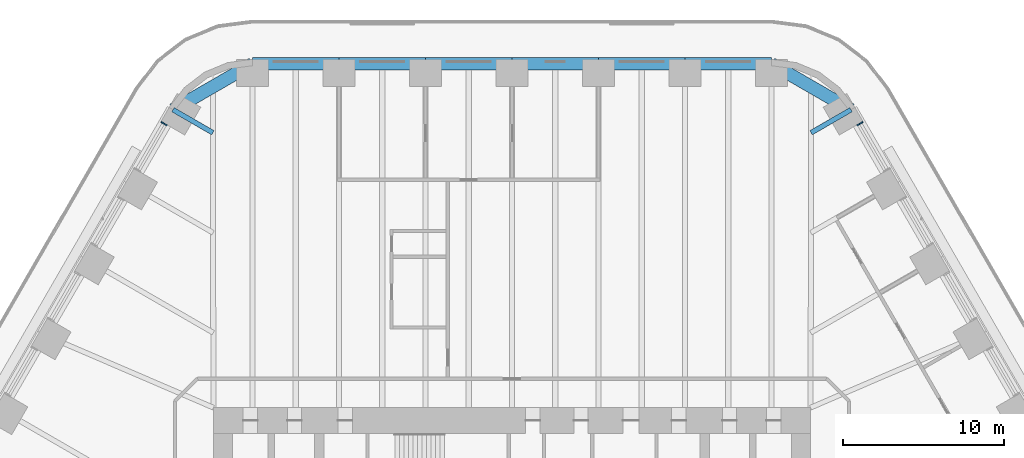
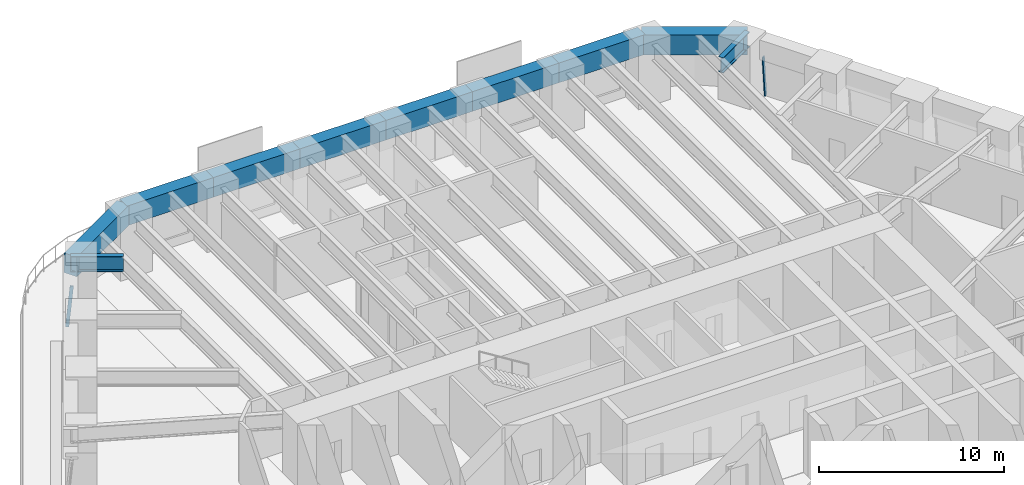
# One storey, part 14 of 24: 10 beams, 2 members, 2 elements without a shape of their own.
"""IFC4 building model written with IfcOpenShell, lengths in metres."""

from ifc_helpers import new_model, si_unit, direction, frame, origin, origin_2d, place, context, subcontext, project, spatial, rectangle, i_section, extrude, material, material_profile, profile_set, type_object, element, aggregate, save


model = new_model("IFC4")

# Units and contexts
model_context = context("Model", 3, precision=1e-05, world=origin(), true_north=direction((0.0, 1.0)))
body_context = subcontext(model_context, "Body", "Model", "MODEL_VIEW")
ifc_project = project(units=[si_unit("LENGTHUNIT", "METRE"), si_unit("AREAUNIT", "SQUARE_METRE"), si_unit("VOLUMEUNIT", "CUBIC_METRE"), si_unit("PLANEANGLEUNIT", "RADIAN"), si_unit("MASSUNIT", "GRAM", prefix="KILO")], contexts=[model_context])

# Site, building, storey
site_placement = place(None, origin())
site = spatial("IfcSite", under=ifc_project, at=site_placement, CompositionType="ELEMENT")
building_placement = place(site_placement, origin())
building = spatial("IfcBuilding", under=site, at=building_placement, Name="Tarfa Lantern Tower", CompositionType="ELEMENT")
storey_placement = place(building_placement, frame((0.0, 0.0, 69.699951171875)))
storey = spatial("IfcBuildingStorey", under=building, at=storey_placement, Name="L15", CompositionType="ELEMENT", Elevation=69.699951171875)

# Curtain wall, member
ifc_material_1 = material(Name="Aluminium framed curtain wall", Category="aluminium")
curtain_wall_type = type_object("IfcCurtainWallType", Name="CW1 CANTED GLAZING LOW ZONE 2700", PredefinedType="USERDEFINED", material=ifc_material_1)
curtain_wall_1_placement = place(storey_placement, origin())
curtain_wall_1 = element("IfcCurtainWall", 1, at=curtain_wall_1_placement, inside=storey, type_object=curtain_wall_type, Name="CW1 NE L15", ObjectType="CURTAIN WALL", PredefinedType="USERDEFINED")
ifc_material_2 = material(Name="Aluminium mullion", Category="aluminium")
ifc_material_profile_1 = material_profile(ifc_material_2, rectangle(XDim=0.06494140625, YDim=0.199951171875, at=origin_2d()), Name="AL MULLION 65x200")
ifc_profile_set_1 = profile_set([ifc_material_profile_1], Name="Aluminium mullion")
member_type = type_object("IfcMemberType", Name="CWM1 MULLION 65x200", PredefinedType="MULLION", material=ifc_profile_set_1)
member_1_placement = place(storey_placement, frame((21.79150390625, 30.055908203125, 0.0), z_axis=(-0.079774955866, -0.04610020023, 0.995746317068), x_axis=(0.500342721131, -0.865827443207, 0.0)))
member_1 = element("IfcMember", 2, at=member_1_placement, type_object=member_type, Name="CW1 mullion 2", PredefinedType="MULLION", context=body_context, shape_type="SweptSolid", body=[
    extrude(rectangle(XDim=0.06494140625, YDim=0.199951171875, at=origin_2d()), origin(), (0.0, 0.0, 1.0), 2.71142578125),
])
aggregate(curtain_wall_1, [member_1])

curtain_wall_2_placement = place(storey_placement, origin())
curtain_wall_2 = element("IfcCurtainWall", 3, at=curtain_wall_2_placement, inside=storey, type_object=curtain_wall_type, Name="CW1 NW L15", ObjectType="CURTAIN WALL", PredefinedType="USERDEFINED")
member_2_placement = place(storey_placement, frame((-21.79150390625, 30.055908203125, 0.0), z_axis=(0.079774955866, -0.04610020023, 0.995746317068), x_axis=(0.500342721131, 0.865827443207, 0.0)))
member_2 = element("IfcMember", 4, at=member_2_placement, type_object=member_type, Name="CW1 mullion 1", PredefinedType="MULLION", context=body_context, shape_type="SweptSolid", body=[
    extrude(rectangle(XDim=0.06494140625, YDim=0.199951171875, at=origin_2d()), origin(), (0.0, 0.0, 1.0), 2.71142578125),
])
aggregate(curtain_wall_2, [member_2])

# Beams
ifc_material_3 = material(Name="Concrete C80/95", Category="concrete")
ifc_material_profile_2 = material_profile(ifc_material_3, rectangle(XDim=0.800048828125, YDim=1.300048828125, at=origin_2d()), Name="RC 800x1300")
ifc_profile_set_2 = profile_set([ifc_material_profile_2], Name="Concrete C80/95")
beam_type_1 = type_object("IfcBeamType", Name="EB1 RC 800x1300", PredefinedType="SPANDREL", material=ifc_profile_set_2)
beam_1_placement = place(storey_placement, frame((21.119384765625, 30.860107421875, 3.35009765625), z_axis=(-0.866033479681, 0.499986011877, 0.0), x_axis=(-0.499986011877, -0.866033479681, 0.0)))
element("IfcBeam", 5, at=beam_1_placement, inside=storey, type_object=beam_type_1, Name="Edge beam NE6", PredefinedType="SPANDREL", context=body_context, shape_type="SweptSolid", body=[
    extrude(rectangle(XDim=0.800048828125, YDim=1.300048828125, at=origin_2d()), origin(), (0.0, 0.0, 1.0), 5.719970703125),
])
beam_2_placement = place(storey_placement, frame((16.165771484375, 33.719970703125, 3.35009765625), z_axis=(-1.0, 0.0, 0.0), x_axis=(0.0, -1.0, 0.0)))
element("IfcBeam", 6, at=beam_2_placement, inside=storey, type_object=beam_type_1, Name="Edge beam N0", PredefinedType="SPANDREL", context=body_context, shape_type="SweptSolid", body=[
    extrude(rectangle(XDim=0.800048828125, YDim=1.300048828125, at=origin_2d()), origin(), (0.0, 0.0, 1.0), 5.388671875),
])
beam_3_placement = place(storey_placement, frame((10.777099609375, 33.719970703125, 3.35009765625), z_axis=(-1.0, 0.0, 0.0), x_axis=(0.0, -1.0, 0.0)))
element("IfcBeam", 7, at=beam_3_placement, inside=storey, type_object=beam_type_1, Name="Edge beam N1", PredefinedType="SPANDREL", context=body_context, shape_type="SweptSolid", body=[
    extrude(rectangle(XDim=0.800048828125, YDim=1.300048828125, at=origin_2d()), origin(), (0.0, 0.0, 1.0), 5.388427734375),
])
for number, where, z_axis, x_axis, name in (
    (8, (5.388671875, 33.719970703125, 3.35009765625), (-1.0, 0.0, 0.0), (0.0, -1.0, 0.0), "Edge beam N2"),
    (9, (0.0, 33.719970703125, 3.35009765625), (-1.0, 0.0, 0.0), (0.0, -1.0, 0.0), "Edge beam N3"),
):
    element("IfcBeam", number, at=place(storey_placement, frame(where, z_axis=z_axis, x_axis=x_axis)), inside=storey, type_object=beam_type_1, Name=name, PredefinedType="SPANDREL", context=body_context, shape_type="SweptSolid", body=[
        extrude(rectangle(XDim=0.800048828125, YDim=1.300048828125, at=origin_2d()), origin(), (0.0, 0.0, 1.0), 5.388671875),
    ])
beam_4_placement = place(storey_placement, frame((-5.388671875, 33.719970703125, 3.35009765625), z_axis=(-1.0, 0.0, 0.0), x_axis=(0.0, -1.0, 0.0)))
element("IfcBeam", 10, at=beam_4_placement, inside=storey, type_object=beam_type_1, Name="Edge beam N4", PredefinedType="SPANDREL", context=body_context, shape_type="SweptSolid", body=[
    extrude(rectangle(XDim=0.800048828125, YDim=1.300048828125, at=origin_2d()), origin(), (0.0, 0.0, 1.0), 5.388427734375),
])
beam_5_placement = place(storey_placement, frame((-10.777099609375, 33.719970703125, 3.35009765625), z_axis=(-1.0, 0.0, 0.0), x_axis=(0.0, -1.0, 0.0)))
element("IfcBeam", 11, at=beam_5_placement, inside=storey, type_object=beam_type_1, Name="Edge beam N5", PredefinedType="SPANDREL", context=body_context, shape_type="SweptSolid", body=[
    extrude(rectangle(XDim=0.800048828125, YDim=1.300048828125, at=origin_2d()), origin(), (0.0, 0.0, 1.0), 5.388671875),
])
beam_6_placement = place(storey_placement, frame((-16.165771484375, 33.719970703125, 3.35009765625), z_axis=(-0.866033479681, -0.499986011877, 0.0), x_axis=(0.499986011877, -0.866033479681, 0.0)))
element("IfcBeam", 12, at=beam_6_placement, inside=storey, type_object=beam_type_1, Name="Edge beam N6", PredefinedType="SPANDREL", context=body_context, shape_type="SweptSolid", body=[
    extrude(rectangle(XDim=0.800048828125, YDim=1.300048828125, at=origin_2d()), origin(), (0.0, 0.0, 1.0), 5.719970703125),
])
ifc_material_4 = material(Name="Steel S460M", Category="steel")
ifc_material_profile_3 = material_profile(ifc_material_4, i_section(OverallWidth=0.302001953125, OverallDepth=1.008056640625, WebThickness=0.02099609375, FlangeThickness=0.0400390625, FilletRadius=0.030029296875, at=origin_2d()), Name="UB1016x305x349")
ifc_profile_set_3 = profile_set([ifc_material_profile_3], Name="Steel S460M")
beam_type_2 = type_object("IfcBeamType", Name="UB1016x305x349", PredefinedType="BEAM", material=ifc_profile_set_3)
for number, where, z_axis, x_axis, name in (
    (13, (21.119384765625, 30.860107421875, 3.49609375), (-0.866012580594, -0.500022209759, 0.0), (0.500022209759, -0.866012580594, 0.0), "Floor beam NE6"),
    (14, (-21.119384765625, 30.860107421875, 3.49609375), (0.866012580594, -0.500022209759, 0.0), (0.500022209759, 0.866012580594, 0.0), "Floor beam NW0"),
):
    element("IfcBeam", number, at=place(storey_placement, frame(where, z_axis=z_axis, x_axis=x_axis)), inside=storey, type_object=beam_type_2, Name=name, PredefinedType="BEAM", context=body_context, shape_type="SweptSolid", body=[
        extrude(i_section(OverallWidth=0.302001953125, OverallDepth=1.008056640625, WebThickness=0.02099609375, FlangeThickness=0.0400390625, FilletRadius=0.030029296875, at=origin_2d()), origin(), (0.0, 0.0, 1.0), 2.866943359375),
    ])

save(model, "model.ifc")
